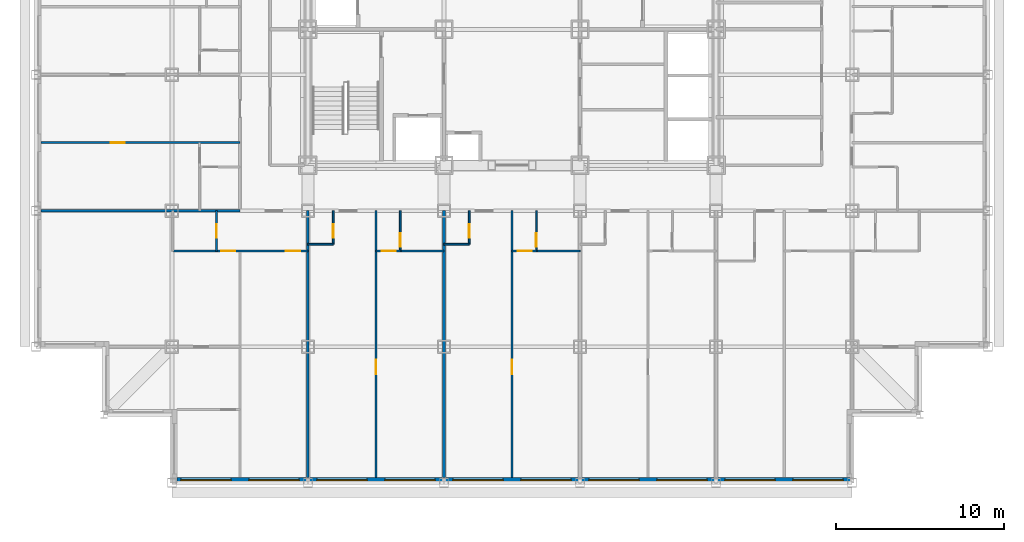
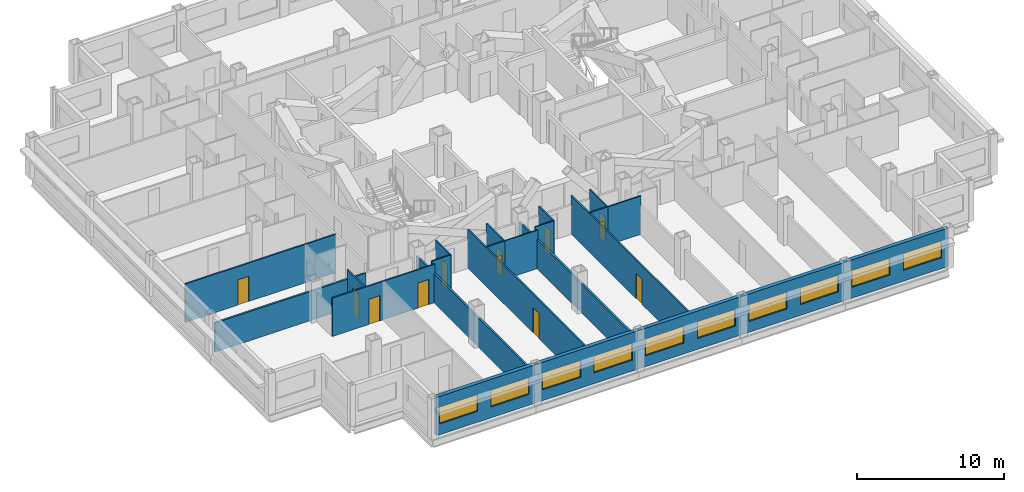
# One storey, part 4 of 12: 19 walls, 12 doors, 10 windows, 22 openings.
"""IFC4 building model written with IfcOpenShell, lengths in metres."""

from ifc_helpers import new_model, si_unit, direction, frame, frame_2d, origin, place, context, subcontext, project, spatial, rectangle, extrude, material, layer, layer_set, type_object, element, fill, save


model = new_model("IFC4")

# Units and contexts
model_context = context("Model", 3, precision=1e-05, world=origin(), true_north=direction((0.0, 1.0)))
body_context = subcontext(model_context, "Body", "Model", "MODEL_VIEW")
ifc_project = project(units=[si_unit("LENGTHUNIT", "METRE"), si_unit("AREAUNIT", "SQUARE_METRE"), si_unit("VOLUMEUNIT", "CUBIC_METRE"), si_unit("PLANEANGLEUNIT", "RADIAN"), si_unit("MASSUNIT", "GRAM", prefix="KILO")], contexts=[model_context])

# Site, building, storey
site_placement = place(None, origin())
site = spatial("IfcSite", under=ifc_project, at=site_placement, CompositionType="ELEMENT")
building_placement = place(site_placement, origin())
building = spatial("IfcBuilding", under=site, at=building_placement, Name="Kopane Lantern Tower", CompositionType="ELEMENT")
storey_placement = place(building_placement, frame((0.0, 0.0, 144.199951171875)))
storey = spatial("IfcBuildingStorey", under=building, at=storey_placement, Name="L37", CompositionType="ELEMENT", Elevation=144.199951171875)

# Wall, opening, door
ifc_material_1 = material(Name="Gypsum board on steel studs", Category="steel")
ifc_layer_1 = layer(ifc_material_1, 0.1201171875)
ifc_layer_set_1 = layer_set([ifc_layer_1], Name="APARTMENT INTERNAL WALL 120")
wall_type_1 = type_object("IfcWallType", Name="APARTMENT INTERNAL WALL 120", PredefinedType="PARTITIONING", material=ifc_layer_set_1)
wall_1_placement = place(storey_placement, frame((20.25, 21.60009765625, 0.0), z_axis=(0.0, 0.0, 1.0), x_axis=(0.0, -1.0, 0.0)))
wall_1 = element("IfcWall", 1, at=wall_1_placement, inside=storey, type_object=wall_type_1, Name="Apartment Internal Wall 120 L37", PredefinedType="PARTITIONING", context=body_context, shape_type="SweptSolid", body=[
    extrude(rectangle(XDim=15.900146484375, YDim=0.1201171875, at=frame_2d((7.9501953125, 0.0))), origin(), (0.0, 0.0, 1.0), 3.18994140625),
])
opening_1_placement = place(wall_1_placement, frame((8.875, 0.0, 0.0)))
opening_1 = element("IfcOpeningElement", 2, at=opening_1_placement, cuts=wall_1, Name="Opening L37-015", PredefinedType="OPENING", context=body_context, shape_type="SweptSolid", body=[
    extrude(rectangle(XDim=0.85009765625, YDim=2.10009765625, at=frame_2d((0.425048828125, 1.050048828125))), frame((0.0, 0.070068359375, 0.0), z_axis=(0.0, -1.0, 0.0), x_axis=(1.0, 0.0, 0.0)), (0.0, 0.0, 1.0), 0.14013671875),
])
ifc_material_2 = material(Name="Timber door set", Category="wood")
door_type_1 = type_object("IfcDoorType", Name="DOOR D4 850x2100", OperationType="SINGLE_SWING_LEFT", PredefinedType="DOOR", material=ifc_material_2)
door_1_placement = place(opening_1_placement, origin())
door_1 = element("IfcDoor", 3, at=door_1_placement, inside=storey, type_object=door_type_1, Name="Door L37-015", OperationType="SINGLE_SWING_LEFT", OverallHeight=2.10009765625, OverallWidth=0.85009765625, PredefinedType="DOOR", context=body_context, shape_type="SweptSolid", body=[
    extrude(rectangle(XDim=0.85009765625, YDim=2.10009765625, at=frame_2d((0.425048828125, 1.050048828125))), frame((0.0, 0.02490234375, 0.0), z_axis=(0.0, -1.0, 0.0), x_axis=(1.0, 0.0, 0.0)), (0.0, 0.0, 1.0), 0.050048828125),
])
fill(opening_1, door_1)

wall_2_placement = place(storey_placement, frame((28.35009765625, 21.60009765625, 0.0), z_axis=(0.0, 0.0, 1.0), x_axis=(0.0, -1.0, 0.0)))
wall_2 = element("IfcWall", 4, at=wall_2_placement, inside=storey, type_object=wall_type_1, Name="Apartment Internal Wall 120 L37", PredefinedType="PARTITIONING", context=body_context, shape_type="SweptSolid", body=[
    extrude(rectangle(XDim=15.900146484375, YDim=0.1201171875, at=frame_2d((7.9501953125, 0.0))), origin(), (0.0, 0.0, 1.0), 3.18994140625),
])
opening_2_placement = place(wall_2_placement, frame((8.875, 0.0, 0.0)))
opening_2 = element("IfcOpeningElement", 5, at=opening_2_placement, cuts=wall_2, Name="Opening L37-019", PredefinedType="OPENING", context=body_context, shape_type="SweptSolid", body=[
    extrude(rectangle(XDim=0.85009765625, YDim=2.10009765625, at=frame_2d((0.425048828125, 1.050048828125))), frame((0.0, 0.070068359375, 0.0), z_axis=(0.0, -1.0, 0.0), x_axis=(1.0, 0.0, 0.0)), (0.0, 0.0, 1.0), 0.14013671875),
])
door_2_placement = place(opening_2_placement, origin())
door_2 = element("IfcDoor", 6, at=door_2_placement, inside=storey, type_object=door_type_1, Name="Door L37-019", OperationType="SINGLE_SWING_LEFT", OverallHeight=2.10009765625, OverallWidth=0.85009765625, PredefinedType="DOOR", context=body_context, shape_type="SweptSolid", body=[
    extrude(rectangle(XDim=0.85009765625, YDim=2.10009765625, at=frame_2d((0.425048828125, 1.050048828125))), frame((0.0, 0.02490234375, 0.0), z_axis=(0.0, -1.0, 0.0), x_axis=(1.0, 0.0, 0.0)), (0.0, 0.0, 1.0), 0.050048828125),
])
fill(opening_2, door_2)

wall_3_placement = place(storey_placement, frame((12.14990234375, 25.64990234375, 0.0), z_axis=(0.0, 0.0, 1.0), x_axis=(-1.0, 0.0, 0.0)))
wall_3 = element("IfcWall", 7, at=wall_3_placement, inside=storey, type_object=wall_type_1, Name="Apartment Internal Wall 120 L37", PredefinedType="PARTITIONING", context=body_context, shape_type="SweptSolid", body=[
    extrude(rectangle(XDim=11.849853515625, YDim=0.1201171875, at=frame_2d((5.9248046875, 0.0))), origin(), (0.0, 0.0, 1.0), 3.18994140625),
])
opening_3_placement = place(wall_3_placement, frame((6.85009765625, 0.0, 0.0)))
opening_3 = element("IfcOpeningElement", 8, at=opening_3_placement, cuts=wall_3, Name="Opening L37-036", PredefinedType="OPENING", context=body_context, shape_type="SweptSolid", body=[
    extrude(rectangle(XDim=0.85009765625, YDim=2.10009765625, at=frame_2d((0.425048828125, 1.050048828125))), frame((0.0, 0.070068359375, 0.0), z_axis=(0.0, -1.0, 0.0), x_axis=(1.0, 0.0, 0.0)), (0.0, 0.0, 1.0), 0.14013671875),
])
door_3_placement = place(opening_3_placement, origin())
door_3 = element("IfcDoor", 9, at=door_3_placement, inside=storey, type_object=door_type_1, Name="Door L37-036", OperationType="SINGLE_SWING_LEFT", OverallHeight=2.10009765625, OverallWidth=0.85009765625, PredefinedType="DOOR", context=body_context, shape_type="SweptSolid", body=[
    extrude(rectangle(XDim=0.85009765625, YDim=2.10009765625, at=frame_2d((0.425048828125, 1.050048828125))), frame((0.0, 0.02490234375, 0.0), z_axis=(0.0, -1.0, 0.0), x_axis=(1.0, 0.0, 0.0)), (0.0, 0.0, 1.0), 0.050048828125),
])
fill(opening_3, door_3)

# Wall, openings, doors
wall_4_placement = place(storey_placement, frame((8.14990234375, 19.199951171875, 0.0), z_axis=(0.0, 0.0, 1.0), x_axis=(1.0, 0.0, 0.0)))
wall_4 = element("IfcWall", 10, at=wall_4_placement, inside=storey, type_object=wall_type_1, Name="Apartment Internal Wall 120 L37", PredefinedType="PARTITIONING", context=body_context, shape_type="SweptSolid", body=[
    extrude(rectangle(XDim=8.050048828125, YDim=0.1201171875, at=frame_2d((4.02490234375, 0.0))), origin(), (0.0, 0.0, 1.0), 3.18994140625),
])
opening_4_placement = place(wall_4_placement, frame((6.72509765625, 0.0, 0.0)))
opening_4 = element("IfcOpeningElement", 11, at=opening_4_placement, cuts=wall_4, Name="Opening L37-057", PredefinedType="OPENING", context=body_context, shape_type="SweptSolid", body=[
    extrude(rectangle(XDim=0.85009765625, YDim=2.10009765625, at=frame_2d((0.425048828125, 1.050048828125))), frame((0.0, 0.070068359375, 0.0), z_axis=(0.0, -1.0, 0.0), x_axis=(1.0, 0.0, 0.0)), (0.0, 0.0, 1.0), 0.14013671875),
])
opening_5_placement = place(wall_4_placement, frame((2.875, 0.0, 0.0)))
opening_5 = element("IfcOpeningElement", 12, at=opening_5_placement, cuts=wall_4, Name="Opening L37-059", PredefinedType="OPENING", context=body_context, shape_type="SweptSolid", body=[
    extrude(rectangle(XDim=0.85009765625, YDim=2.10009765625, at=frame_2d((0.425048828125, 1.050048828125))), frame((0.0, 0.070068359375, 0.0), z_axis=(0.0, -1.0, 0.0), x_axis=(1.0, 0.0, 0.0)), (0.0, 0.0, 1.0), 0.14013671875),
])
door_4_placement = place(opening_4_placement, origin())
door_4 = element("IfcDoor", 13, at=door_4_placement, inside=storey, type_object=door_type_1, Name="Door L37-057", OperationType="SINGLE_SWING_RIGHT", OverallHeight=2.10009765625, OverallWidth=0.85009765625, PredefinedType="DOOR", context=body_context, shape_type="SweptSolid", body=[
    extrude(rectangle(XDim=0.85009765625, YDim=2.10009765625, at=frame_2d((0.425048828125, 1.050048828125))), frame((0.0, 0.02490234375, 0.0), z_axis=(0.0, -1.0, 0.0), x_axis=(1.0, 0.0, 0.0)), (0.0, 0.0, 1.0), 0.050048828125),
])
fill(opening_4, door_4)
door_5_placement = place(opening_5_placement, origin())
door_5 = element("IfcDoor", 14, at=door_5_placement, inside=storey, type_object=door_type_1, Name="Door L37-059", OperationType="SINGLE_SWING_LEFT", OverallHeight=2.10009765625, OverallWidth=0.85009765625, PredefinedType="DOOR", context=body_context, shape_type="SweptSolid", body=[
    extrude(rectangle(XDim=0.85009765625, YDim=2.10009765625, at=frame_2d((0.425048828125, 1.050048828125))), frame((0.0, 0.02490234375, 0.0), z_axis=(0.0, -1.0, 0.0), x_axis=(1.0, 0.0, 0.0)), (0.0, 0.0, 1.0), 0.050048828125),
])
fill(opening_5, door_5)

# Wall, opening, door
wall_5_placement = place(storey_placement, frame((21.7099609375, 19.199951171875, 0.0), z_axis=(0.0, 0.0, 1.0), x_axis=(-1.0, 0.0, 0.0)))
wall_5 = element("IfcWall", 15, at=wall_5_placement, inside=storey, type_object=wall_type_1, Name="Apartment Internal Wall 120 L37", PredefinedType="PARTITIONING", context=body_context, shape_type="SweptSolid", body=[
    extrude(rectangle(XDim=1.4599609375, YDim=0.1201171875, at=frame_2d((0.72998046875, 0.0))), origin(), (0.0, 0.0, 1.0), 3.18994140625),
])
opening_6_placement = place(wall_5_placement, frame((0.27490234375, 0.0, 0.0)))
opening_6 = element("IfcOpeningElement", 16, at=opening_6_placement, cuts=wall_5, Name="Opening L37-073", PredefinedType="OPENING", context=body_context, shape_type="SweptSolid", body=[
    extrude(rectangle(XDim=0.85009765625, YDim=2.10009765625, at=frame_2d((0.425048828125, 1.050048828125))), frame((0.0, 0.070068359375, 0.0), z_axis=(0.0, -1.0, 0.0), x_axis=(1.0, 0.0, 0.0)), (0.0, 0.0, 1.0), 0.14013671875),
])
door_6_placement = place(opening_6_placement, origin())
door_6 = element("IfcDoor", 17, at=door_6_placement, inside=storey, type_object=door_type_1, Name="Door L37-073", OperationType="SINGLE_SWING_RIGHT", OverallHeight=2.10009765625, OverallWidth=0.85009765625, PredefinedType="DOOR", context=body_context, shape_type="SweptSolid", body=[
    extrude(rectangle(XDim=0.85009765625, YDim=2.10009765625, at=frame_2d((0.425048828125, 1.050048828125))), frame((0.0, 0.02490234375, 0.0), z_axis=(0.0, -1.0, 0.0), x_axis=(1.0, 0.0, 0.0)), (0.0, 0.0, 1.0), 0.050048828125),
])
fill(opening_6, door_6)

wall_6_placement = place(storey_placement, frame((29.81005859375, 19.199951171875, 0.0), z_axis=(0.0, 0.0, 1.0), x_axis=(-1.0, 0.0, 0.0)))
wall_6 = element("IfcWall", 18, at=wall_6_placement, inside=storey, type_object=wall_type_1, Name="Apartment Internal Wall 120 L37", PredefinedType="PARTITIONING", context=body_context, shape_type="SweptSolid", body=[
    extrude(rectangle(XDim=1.4599609375, YDim=0.1201171875, at=frame_2d((0.72998046875, 0.0))), origin(), (0.0, 0.0, 1.0), 3.18994140625),
])
opening_7_placement = place(wall_6_placement, frame((0.27490234375, 0.0, 0.0)))
opening_7 = element("IfcOpeningElement", 19, at=opening_7_placement, cuts=wall_6, Name="Opening L37-074", PredefinedType="OPENING", context=body_context, shape_type="SweptSolid", body=[
    extrude(rectangle(XDim=0.85009765625, YDim=2.10009765625, at=frame_2d((0.425048828125, 1.050048828125))), frame((0.0, 0.070068359375, 0.0), z_axis=(0.0, -1.0, 0.0), x_axis=(1.0, 0.0, 0.0)), (0.0, 0.0, 1.0), 0.14013671875),
])
door_7_placement = place(opening_7_placement, origin())
door_7 = element("IfcDoor", 20, at=door_7_placement, inside=storey, type_object=door_type_1, Name="Door L37-074", OperationType="SINGLE_SWING_RIGHT", OverallHeight=2.10009765625, OverallWidth=0.85009765625, PredefinedType="DOOR", context=body_context, shape_type="SweptSolid", body=[
    extrude(rectangle(XDim=0.85009765625, YDim=2.10009765625, at=frame_2d((0.425048828125, 1.050048828125))), frame((0.0, 0.02490234375, 0.0), z_axis=(0.0, -1.0, 0.0), x_axis=(1.0, 0.0, 0.0)), (0.0, 0.0, 1.0), 0.050048828125),
])
fill(opening_7, door_7)

# Wall
ifc_material_3 = material(Name="Moisture-resistant board on steel studs", Category="steel")
ifc_layer_2 = layer(ifc_material_3, 0.10009765625)
ifc_layer_set_2 = layer_set([ifc_layer_2], Name="BATHROOM WALL 100")
wall_type_2 = type_object("IfcWallType", Name="BATHROOM WALL 100", PredefinedType="PARTITIONING", material=ifc_layer_set_2)
wall_7_placement = place(storey_placement, frame((16.199951171875, 19.60009765625, 0.0), z_axis=(0.0, 0.0, 1.0), x_axis=(1.0, 0.0, 0.0)))
element("IfcWall", 21, at=wall_7_placement, inside=storey, type_object=wall_type_2, Name="Bathroom Wall 100 L37", PredefinedType="PARTITIONING", context=body_context, shape_type="SweptSolid", body=[
    extrude(rectangle(XDim=1.5, YDim=0.10009765625, at=frame_2d((0.75, 0.0))), origin(), (0.0, 0.0, 1.0), 3.18994140625),
])

# Wall, opening, door
wall_8_placement = place(storey_placement, frame((17.699951171875, 21.60009765625, 0.0), z_axis=(0.0, 0.0, 1.0), x_axis=(0.0, -1.0, 0.0)))
wall_8 = element("IfcWall", 22, at=wall_8_placement, inside=storey, type_object=wall_type_2, Name="Bathroom Wall 100 L37", PredefinedType="PARTITIONING", context=body_context, shape_type="SweptSolid", body=[
    extrude(rectangle(XDim=2.0, YDim=0.10009765625, at=frame_2d((1.0, 0.0))), origin(), (0.0, 0.0, 1.0), 3.18994140625),
])
opening_8_placement = place(wall_8_placement, frame((0.800048828125, 0.0, 0.0)))
opening_8 = element("IfcOpeningElement", 23, at=opening_8_placement, cuts=wall_8, Name="Opening L37-012", PredefinedType="OPENING", context=body_context, shape_type="SweptSolid", body=[
    extrude(rectangle(XDim=0.800048828125, YDim=2.10009765625, at=frame_2d((0.39990234375, 1.050048828125))), frame((0.0, 0.06005859375, 0.0), z_axis=(0.0, -1.0, 0.0), x_axis=(1.0, 0.0, 0.0)), (0.0, 0.0, 1.0), 0.1201171875),
])
ifc_material_4 = material(Name="Timber door set", Category="wood")
door_type_2 = type_object("IfcDoorType", Name="DOOR D2 800x2100", OperationType="SINGLE_SWING_LEFT", PredefinedType="DOOR", material=ifc_material_4)
door_8_placement = place(opening_8_placement, origin())
door_8 = element("IfcDoor", 24, at=door_8_placement, inside=storey, type_object=door_type_2, Name="Door L37-012", OperationType="SINGLE_SWING_LEFT", OverallHeight=2.10009765625, OverallWidth=0.800048828125, PredefinedType="DOOR", context=body_context, shape_type="SweptSolid", body=[
    extrude(rectangle(XDim=0.800048828125, YDim=2.10009765625, at=frame_2d((0.39990234375, 1.050048828125))), frame((0.0, 0.02490234375, 0.0), z_axis=(0.0, -1.0, 0.0), x_axis=(1.0, 0.0, 0.0)), (0.0, 0.0, 1.0), 0.050048828125),
])
fill(opening_8, door_8)

# Wall
wall_9_placement = place(storey_placement, frame((21.699951171875, 19.199951171875, 0.0), z_axis=(0.0, 0.0, 1.0), x_axis=(1.0, 0.0, 0.0)))
element("IfcWall", 25, at=wall_9_placement, inside=storey, type_object=wall_type_2, Name="Bathroom Wall 100 L37", PredefinedType="PARTITIONING", context=body_context, shape_type="SweptSolid", body=[
    extrude(rectangle(XDim=2.60009765625, YDim=0.10009765625, at=frame_2d((1.300048828125, 0.0))), origin(), (0.0, 0.0, 1.0), 3.18994140625),
])

# Wall, opening, door
wall_10_placement = place(storey_placement, frame((21.699951171875, 21.60009765625, 0.0), z_axis=(0.0, 0.0, 1.0), x_axis=(0.0, -1.0, 0.0)))
wall_10 = element("IfcWall", 26, at=wall_10_placement, inside=storey, type_object=wall_type_2, Name="Bathroom Wall 100 L37", PredefinedType="PARTITIONING", context=body_context, shape_type="SweptSolid", body=[
    extrude(rectangle(XDim=2.400146484375, YDim=0.10009765625, at=frame_2d((1.2001953125, 0.0))), origin(), (0.0, 0.0, 1.0), 3.18994140625),
])
opening_9_placement = place(wall_10_placement, frame((1.35009765625, 0.0, 0.0)))
opening_9 = element("IfcOpeningElement", 27, at=opening_9_placement, cuts=wall_10, Name="Opening L37-014", PredefinedType="OPENING", context=body_context, shape_type="SweptSolid", body=[
    extrude(rectangle(XDim=0.800048828125, YDim=2.10009765625, at=frame_2d((0.39990234375, 1.050048828125))), frame((0.0, 0.06005859375, 0.0), z_axis=(0.0, -1.0, 0.0), x_axis=(1.0, 0.0, 0.0)), (0.0, 0.0, 1.0), 0.1201171875),
])
door_9_placement = place(opening_9_placement, origin())
door_9 = element("IfcDoor", 28, at=door_9_placement, inside=storey, type_object=door_type_2, Name="Door L37-014", OperationType="SINGLE_SWING_LEFT", OverallHeight=2.10009765625, OverallWidth=0.800048828125, PredefinedType="DOOR", context=body_context, shape_type="SweptSolid", body=[
    extrude(rectangle(XDim=0.800048828125, YDim=2.10009765625, at=frame_2d((0.39990234375, 1.050048828125))), frame((0.0, 0.02490234375, 0.0), z_axis=(0.0, -1.0, 0.0), x_axis=(1.0, 0.0, 0.0)), (0.0, 0.0, 1.0), 0.050048828125),
])
fill(opening_9, door_9)

# Wall
wall_11_placement = place(storey_placement, frame((24.300048828125, 19.60009765625, 0.0), z_axis=(0.0, 0.0, 1.0), x_axis=(1.0, 0.0, 0.0)))
element("IfcWall", 29, at=wall_11_placement, inside=storey, type_object=wall_type_2, Name="Bathroom Wall 100 L37", PredefinedType="PARTITIONING", context=body_context, shape_type="SweptSolid", body=[
    extrude(rectangle(XDim=1.5, YDim=0.10009765625, at=frame_2d((0.75, 0.0))), origin(), (0.0, 0.0, 1.0), 3.18994140625),
])

# Wall, opening, door
wall_12_placement = place(storey_placement, frame((25.800048828125, 21.60009765625, 0.0), z_axis=(0.0, 0.0, 1.0), x_axis=(0.0, -1.0, 0.0)))
wall_12 = element("IfcWall", 30, at=wall_12_placement, inside=storey, type_object=wall_type_2, Name="Bathroom Wall 100 L37", PredefinedType="PARTITIONING", context=body_context, shape_type="SweptSolid", body=[
    extrude(rectangle(XDim=2.0, YDim=0.10009765625, at=frame_2d((1.0, 0.0))), origin(), (0.0, 0.0, 1.0), 3.18994140625),
])
opening_10_placement = place(wall_12_placement, frame((0.800048828125, 0.0, 0.0)))
opening_10 = element("IfcOpeningElement", 31, at=opening_10_placement, cuts=wall_12, Name="Opening L37-016", PredefinedType="OPENING", context=body_context, shape_type="SweptSolid", body=[
    extrude(rectangle(XDim=0.800048828125, YDim=2.10009765625, at=frame_2d((0.39990234375, 1.050048828125))), frame((0.0, 0.06005859375, 0.0), z_axis=(0.0, -1.0, 0.0), x_axis=(1.0, 0.0, 0.0)), (0.0, 0.0, 1.0), 0.1201171875),
])
door_10_placement = place(opening_10_placement, origin())
door_10 = element("IfcDoor", 32, at=door_10_placement, inside=storey, type_object=door_type_2, Name="Door L37-016", OperationType="SINGLE_SWING_LEFT", OverallHeight=2.10009765625, OverallWidth=0.800048828125, PredefinedType="DOOR", context=body_context, shape_type="SweptSolid", body=[
    extrude(rectangle(XDim=0.800048828125, YDim=2.10009765625, at=frame_2d((0.39990234375, 1.050048828125))), frame((0.0, 0.02490234375, 0.0), z_axis=(0.0, -1.0, 0.0), x_axis=(1.0, 0.0, 0.0)), (0.0, 0.0, 1.0), 0.050048828125),
])
fill(opening_10, door_10)

# Wall
wall_13_placement = place(storey_placement, frame((29.800048828125, 19.199951171875, 0.0), z_axis=(0.0, 0.0, 1.0), x_axis=(1.0, 0.0, 0.0)))
element("IfcWall", 33, at=wall_13_placement, inside=storey, type_object=wall_type_2, Name="Bathroom Wall 100 L37", PredefinedType="PARTITIONING", context=body_context, shape_type="SweptSolid", body=[
    extrude(rectangle(XDim=2.599853515625, YDim=0.10009765625, at=frame_2d((1.2998046875, 0.0))), origin(), (0.0, 0.0, 1.0), 3.18994140625),
])

# Wall, opening, door
wall_14_placement = place(storey_placement, frame((29.800048828125, 21.60009765625, 0.0), z_axis=(0.0, 0.0, 1.0), x_axis=(0.0, -1.0, 0.0)))
wall_14 = element("IfcWall", 34, at=wall_14_placement, inside=storey, type_object=wall_type_2, Name="Bathroom Wall 100 L37", PredefinedType="PARTITIONING", context=body_context, shape_type="SweptSolid", body=[
    extrude(rectangle(XDim=2.400146484375, YDim=0.10009765625, at=frame_2d((1.2001953125, 0.0))), origin(), (0.0, 0.0, 1.0), 3.18994140625),
])
opening_11_placement = place(wall_14_placement, frame((1.35009765625, 0.0, 0.0)))
opening_11 = element("IfcOpeningElement", 35, at=opening_11_placement, cuts=wall_14, Name="Opening L37-018", PredefinedType="OPENING", context=body_context, shape_type="SweptSolid", body=[
    extrude(rectangle(XDim=0.800048828125, YDim=2.10009765625, at=frame_2d((0.39990234375, 1.050048828125))), frame((0.0, 0.06005859375, 0.0), z_axis=(0.0, -1.0, 0.0), x_axis=(1.0, 0.0, 0.0)), (0.0, 0.0, 1.0), 0.1201171875),
])
door_11_placement = place(opening_11_placement, origin())
door_11 = element("IfcDoor", 36, at=door_11_placement, inside=storey, type_object=door_type_2, Name="Door L37-018", OperationType="SINGLE_SWING_LEFT", OverallHeight=2.10009765625, OverallWidth=0.800048828125, PredefinedType="DOOR", context=body_context, shape_type="SweptSolid", body=[
    extrude(rectangle(XDim=0.800048828125, YDim=2.10009765625, at=frame_2d((0.39990234375, 1.050048828125))), frame((0.0, 0.02490234375, 0.0), z_axis=(0.0, -1.0, 0.0), x_axis=(1.0, 0.0, 0.0)), (0.0, 0.0, 1.0), 0.050048828125),
])
fill(opening_11, door_11)

wall_15_placement = place(storey_placement, frame((10.75, 21.60009765625, 0.0), z_axis=(0.0, 0.0, 1.0), x_axis=(0.0, -1.0, 0.0)))
wall_15 = element("IfcWall", 37, at=wall_15_placement, inside=storey, type_object=wall_type_2, Name="Bathroom Wall 100 L37", PredefinedType="PARTITIONING", context=body_context, shape_type="SweptSolid", body=[
    extrude(rectangle(XDim=2.400146484375, YDim=0.10009765625, at=frame_2d((1.2001953125, 0.0))), origin(), (0.0, 0.0, 1.0), 3.18994140625),
])
opening_12_placement = place(wall_15_placement, frame((0.800048828125, 0.0, 0.0)))
opening_12 = element("IfcOpeningElement", 38, at=opening_12_placement, cuts=wall_15, Name="Opening L37-058", PredefinedType="OPENING", context=body_context, shape_type="SweptSolid", body=[
    extrude(rectangle(XDim=0.800048828125, YDim=2.10009765625, at=frame_2d((0.39990234375, 1.050048828125))), frame((0.0, 0.06005859375, 0.0), z_axis=(0.0, -1.0, 0.0), x_axis=(1.0, 0.0, 0.0)), (0.0, 0.0, 1.0), 0.1201171875),
])
door_12_placement = place(opening_12_placement, origin())
door_12 = element("IfcDoor", 39, at=door_12_placement, inside=storey, type_object=door_type_2, Name="Door L37-058", OperationType="SINGLE_SWING_RIGHT", OverallHeight=2.10009765625, OverallWidth=0.800048828125, PredefinedType="DOOR", context=body_context, shape_type="SweptSolid", body=[
    extrude(rectangle(XDim=0.800048828125, YDim=2.10009765625, at=frame_2d((0.39990234375, 1.050048828125))), frame((0.0, 0.02490234375, 0.0), z_axis=(0.0, -1.0, 0.0), x_axis=(1.0, 0.0, 0.0)), (0.0, 0.0, 1.0), 0.050048828125),
])
fill(opening_12, door_12)

# Walls
ifc_material_5 = material(Name="Gypsum board on steel studs", Category="steel")
ifc_layer_3 = layer(ifc_material_5, 0.14990234375)
ifc_layer_set_3 = layer_set([ifc_layer_3], Name="DEMISING WALL 150 EI 60")
wall_type_3 = type_object("IfcWallType", Name="DEMISING WALL 150 EI 60", PredefinedType="PARTITIONING", material=ifc_layer_set_3)
wall_16_placement = place(storey_placement, frame((24.300048828125, 21.60009765625, 0.0), z_axis=(0.0, 0.0, 1.0), x_axis=(0.0, -1.0, 0.0)))
element("IfcWall", 40, at=wall_16_placement, inside=storey, type_object=wall_type_3, Name="Demising Wall 150 Ei 60 L37", PredefinedType="PARTITIONING", context=body_context, shape_type="SweptSolid", body=[
    extrude(rectangle(XDim=15.900146484375, YDim=0.14990234375, at=frame_2d((7.9501953125, 0.0))), origin(), (0.0, 0.0, 1.0), 2.420166015625),
])
wall_17_placement = place(storey_placement, frame((0.300048828125, 21.60009765625, 0.0), z_axis=(0.0, 0.0, 1.0), x_axis=(1.0, 0.0, 0.0)))
element("IfcWall", 41, at=wall_17_placement, inside=storey, type_object=wall_type_3, Name="Demising Wall 150 Ei 60 L37", PredefinedType="PARTITIONING", context=body_context, shape_type="SweptSolid", body=[
    extrude(rectangle(XDim=11.849853515625, YDim=0.14990234375, at=frame_2d((5.9248046875, 0.0))), origin(), (0.0, 0.0, 1.0), 2.420166015625),
])
wall_18_placement = place(storey_placement, frame((16.199951171875, 21.60009765625, 0.0), z_axis=(0.0, 0.0, 1.0), x_axis=(0.0, -1.0, 0.0)))
element("IfcWall", 42, at=wall_18_placement, inside=storey, type_object=wall_type_3, Name="Demising Wall 150 Ei 60 L37", PredefinedType="PARTITIONING", context=body_context, shape_type="SweptSolid", body=[
    extrude(rectangle(XDim=15.900146484375, YDim=0.14990234375, at=frame_2d((7.9501953125, 0.0))), origin(), (0.0, 0.0, 1.0), 2.420166015625),
])

# Wall, openings, windows
ifc_material_6 = material(Name="Terracotta rainscreen on light steel framing", Category="masonry")
ifc_layer_4 = layer(ifc_material_6, 0.300048828125)
ifc_layer_set_4 = layer_set([ifc_layer_4], Name="EXTERNAL WALL EW1 300 TERRACOTTA")
wall_type_4 = type_object("IfcWallType", Name="EXTERNAL WALL EW1 300 TERRACOTTA", PredefinedType="SOLIDWALL", material=ifc_layer_set_4)
wall_19_placement = place(storey_placement, frame((8.39990234375, 5.550048828125, 0.0), z_axis=(0.0, 0.0, 1.0), x_axis=(1.0, 0.0, 0.0)))
wall_19 = element("IfcWall", 43, at=wall_19_placement, inside=storey, type_object=wall_type_4, Name="External wall S L37", PredefinedType="SOLIDWALL", context=body_context, shape_type="SweptSolid", body=[
    extrude(rectangle(XDim=40.2001953125, YDim=0.300048828125, at=frame_2d((20.10009765625, 0.0))), origin(), (0.0, 0.0, 1.0), 3.18994140625),
])
opening_13_placement = place(wall_19_placement, frame((0.22509765625, 0.0, 0.89990234375)))
opening_13 = element("IfcOpeningElement", 44, at=opening_13_placement, cuts=wall_19, Name="Opening WR300140", PredefinedType="OPENING", context=body_context, shape_type="SweptSolid", body=[
    extrude(rectangle(XDim=3.0, YDim=1.39990234375, at=frame_2d((1.5, 0.699951171875))), frame((0.0, 0.159912109375, 0.0), z_axis=(0.0, -1.0, 0.0), x_axis=(1.0, 0.0, 0.0)), (0.0, 0.0, 1.0), 0.320068359375),
])
opening_14_placement = place(wall_19_placement, frame((4.27490234375, 0.0, 0.89990234375)))
opening_14 = element("IfcOpeningElement", 45, at=opening_14_placement, cuts=wall_19, Name="Opening WR300140", PredefinedType="OPENING", context=body_context, shape_type="SweptSolid", body=[
    extrude(rectangle(XDim=3.0, YDim=1.39990234375, at=frame_2d((1.5, 0.699951171875))), frame((0.0, 0.159912109375, 0.0), z_axis=(0.0, -1.0, 0.0), x_axis=(1.0, 0.0, 0.0)), (0.0, 0.0, 1.0), 0.320068359375),
])
opening_15_placement = place(wall_19_placement, frame((8.324951171875, 0.0, 0.89990234375)))
opening_15 = element("IfcOpeningElement", 46, at=opening_15_placement, cuts=wall_19, Name="Opening WR300140", PredefinedType="OPENING", context=body_context, shape_type="SweptSolid", body=[
    extrude(rectangle(XDim=3.0, YDim=1.39990234375, at=frame_2d((1.5, 0.699951171875))), frame((0.0, 0.159912109375, 0.0), z_axis=(0.0, -1.0, 0.0), x_axis=(1.0, 0.0, 0.0)), (0.0, 0.0, 1.0), 0.320068359375),
])
opening_16_placement = place(wall_19_placement, frame((12.375, 0.0, 0.89990234375)))
opening_16 = element("IfcOpeningElement", 47, at=opening_16_placement, cuts=wall_19, Name="Opening WR300140", PredefinedType="OPENING", context=body_context, shape_type="SweptSolid", body=[
    extrude(rectangle(XDim=3.0, YDim=1.39990234375, at=frame_2d((1.5, 0.699951171875))), frame((0.0, 0.159912109375, 0.0), z_axis=(0.0, -1.0, 0.0), x_axis=(1.0, 0.0, 0.0)), (0.0, 0.0, 1.0), 0.320068359375),
])
opening_17_placement = place(wall_19_placement, frame((16.425048828125, 0.0, 0.89990234375)))
opening_17 = element("IfcOpeningElement", 48, at=opening_17_placement, cuts=wall_19, Name="Opening WR300140", PredefinedType="OPENING", context=body_context, shape_type="SweptSolid", body=[
    extrude(rectangle(XDim=3.0, YDim=1.39990234375, at=frame_2d((1.5, 0.699951171875))), frame((0.0, 0.159912109375, 0.0), z_axis=(0.0, -1.0, 0.0), x_axis=(1.0, 0.0, 0.0)), (0.0, 0.0, 1.0), 0.320068359375),
])
opening_18_placement = place(wall_19_placement, frame((20.47509765625, 0.0, 0.89990234375)))
opening_18 = element("IfcOpeningElement", 49, at=opening_18_placement, cuts=wall_19, Name="Opening WR300140", PredefinedType="OPENING", context=body_context, shape_type="SweptSolid", body=[
    extrude(rectangle(XDim=3.0, YDim=1.39990234375, at=frame_2d((1.5, 0.699951171875))), frame((0.0, 0.159912109375, 0.0), z_axis=(0.0, -1.0, 0.0), x_axis=(1.0, 0.0, 0.0)), (0.0, 0.0, 1.0), 0.320068359375),
])
opening_19_placement = place(wall_19_placement, frame((24.52490234375, 0.0, 0.89990234375)))
opening_19 = element("IfcOpeningElement", 50, at=opening_19_placement, cuts=wall_19, Name="Opening WR300140", PredefinedType="OPENING", context=body_context, shape_type="SweptSolid", body=[
    extrude(rectangle(XDim=3.0, YDim=1.39990234375, at=frame_2d((1.5, 0.699951171875))), frame((0.0, 0.159912109375, 0.0), z_axis=(0.0, -1.0, 0.0), x_axis=(1.0, 0.0, 0.0)), (0.0, 0.0, 1.0), 0.320068359375),
])
opening_20_placement = place(wall_19_placement, frame((28.574951171875, 0.0, 0.89990234375)))
opening_20 = element("IfcOpeningElement", 51, at=opening_20_placement, cuts=wall_19, Name="Opening WR300140", PredefinedType="OPENING", context=body_context, shape_type="SweptSolid", body=[
    extrude(rectangle(XDim=3.0, YDim=1.39990234375, at=frame_2d((1.5, 0.699951171875))), frame((0.0, 0.159912109375, 0.0), z_axis=(0.0, -1.0, 0.0), x_axis=(1.0, 0.0, 0.0)), (0.0, 0.0, 1.0), 0.320068359375),
])
opening_21_placement = place(wall_19_placement, frame((32.625, 0.0, 0.89990234375)))
opening_21 = element("IfcOpeningElement", 52, at=opening_21_placement, cuts=wall_19, Name="Opening WR300140", PredefinedType="OPENING", context=body_context, shape_type="SweptSolid", body=[
    extrude(rectangle(XDim=3.0, YDim=1.39990234375, at=frame_2d((1.5, 0.699951171875))), frame((0.0, 0.159912109375, 0.0), z_axis=(0.0, -1.0, 0.0), x_axis=(1.0, 0.0, 0.0)), (0.0, 0.0, 1.0), 0.320068359375),
])
opening_22_placement = place(wall_19_placement, frame((36.675048828125, 0.0, 0.89990234375)))
opening_22 = element("IfcOpeningElement", 53, at=opening_22_placement, cuts=wall_19, Name="Opening WR300140", PredefinedType="OPENING", context=body_context, shape_type="SweptSolid", body=[
    extrude(rectangle(XDim=3.0, YDim=1.39990234375, at=frame_2d((1.5, 0.699951171875))), frame((0.0, 0.159912109375, 0.0), z_axis=(0.0, -1.0, 0.0), x_axis=(1.0, 0.0, 0.0)), (0.0, 0.0, 1.0), 0.320068359375),
])
ifc_material_7 = material(Name="Aluminium and clear glass", Category="aluminium")
window_type = type_object("IfcWindowType", Name="RIBBON WINDOW WR300140 3000x1400", PartitioningType="SINGLE_PANEL", PredefinedType="WINDOW", material=ifc_material_7)
window_1_placement = place(opening_13_placement, origin())
window_1 = element("IfcWindow", 54, at=window_1_placement, inside=storey, type_object=window_type, Name="Window S L37", OverallHeight=1.39990234375, OverallWidth=3.0, PartitioningType="SINGLE_PANEL", PredefinedType="WINDOW", context=body_context, shape_type="SweptSolid", body=[
    extrude(rectangle(XDim=3.0, YDim=1.39990234375, at=frame_2d((1.5, 0.699951171875))), frame((0.0, 0.030029296875, 0.0), z_axis=(0.0, -1.0, 0.0), x_axis=(1.0, 0.0, 0.0)), (0.0, 0.0, 1.0), 0.06005859375),
])
fill(opening_13, window_1)
window_2_placement = place(opening_14_placement, origin())
window_2 = element("IfcWindow", 55, at=window_2_placement, inside=storey, type_object=window_type, Name="Window S L37", OverallHeight=1.39990234375, OverallWidth=3.0, PartitioningType="SINGLE_PANEL", PredefinedType="WINDOW", context=body_context, shape_type="SweptSolid", body=[
    extrude(rectangle(XDim=3.0, YDim=1.39990234375, at=frame_2d((1.5, 0.699951171875))), frame((0.0, 0.030029296875, 0.0), z_axis=(0.0, -1.0, 0.0), x_axis=(1.0, 0.0, 0.0)), (0.0, 0.0, 1.0), 0.06005859375),
])
fill(opening_14, window_2)
window_3_placement = place(opening_15_placement, origin())
window_3 = element("IfcWindow", 56, at=window_3_placement, inside=storey, type_object=window_type, Name="Window S L37", OverallHeight=1.39990234375, OverallWidth=3.0, PartitioningType="SINGLE_PANEL", PredefinedType="WINDOW", context=body_context, shape_type="SweptSolid", body=[
    extrude(rectangle(XDim=3.0, YDim=1.39990234375, at=frame_2d((1.5, 0.699951171875))), frame((0.0, 0.030029296875, 0.0), z_axis=(0.0, -1.0, 0.0), x_axis=(1.0, 0.0, 0.0)), (0.0, 0.0, 1.0), 0.06005859375),
])
fill(opening_15, window_3)
window_4_placement = place(opening_16_placement, origin())
window_4 = element("IfcWindow", 57, at=window_4_placement, inside=storey, type_object=window_type, Name="Window S L37", OverallHeight=1.39990234375, OverallWidth=3.0, PartitioningType="SINGLE_PANEL", PredefinedType="WINDOW", context=body_context, shape_type="SweptSolid", body=[
    extrude(rectangle(XDim=3.0, YDim=1.39990234375, at=frame_2d((1.5, 0.699951171875))), frame((0.0, 0.030029296875, 0.0), z_axis=(0.0, -1.0, 0.0), x_axis=(1.0, 0.0, 0.0)), (0.0, 0.0, 1.0), 0.06005859375),
])
fill(opening_16, window_4)
window_5_placement = place(opening_17_placement, origin())
window_5 = element("IfcWindow", 58, at=window_5_placement, inside=storey, type_object=window_type, Name="Window S L37", OverallHeight=1.39990234375, OverallWidth=3.0, PartitioningType="SINGLE_PANEL", PredefinedType="WINDOW", context=body_context, shape_type="SweptSolid", body=[
    extrude(rectangle(XDim=3.0, YDim=1.39990234375, at=frame_2d((1.5, 0.699951171875))), frame((0.0, 0.030029296875, 0.0), z_axis=(0.0, -1.0, 0.0), x_axis=(1.0, 0.0, 0.0)), (0.0, 0.0, 1.0), 0.06005859375),
])
fill(opening_17, window_5)
window_6_placement = place(opening_18_placement, origin())
window_6 = element("IfcWindow", 59, at=window_6_placement, inside=storey, type_object=window_type, Name="Window S L37", OverallHeight=1.39990234375, OverallWidth=3.0, PartitioningType="SINGLE_PANEL", PredefinedType="WINDOW", context=body_context, shape_type="SweptSolid", body=[
    extrude(rectangle(XDim=3.0, YDim=1.39990234375, at=frame_2d((1.5, 0.699951171875))), frame((0.0, 0.030029296875, 0.0), z_axis=(0.0, -1.0, 0.0), x_axis=(1.0, 0.0, 0.0)), (0.0, 0.0, 1.0), 0.06005859375),
])
fill(opening_18, window_6)
window_7_placement = place(opening_19_placement, origin())
window_7 = element("IfcWindow", 60, at=window_7_placement, inside=storey, type_object=window_type, Name="Window S L37", OverallHeight=1.39990234375, OverallWidth=3.0, PartitioningType="SINGLE_PANEL", PredefinedType="WINDOW", context=body_context, shape_type="SweptSolid", body=[
    extrude(rectangle(XDim=3.0, YDim=1.39990234375, at=frame_2d((1.5, 0.699951171875))), frame((0.0, 0.030029296875, 0.0), z_axis=(0.0, -1.0, 0.0), x_axis=(1.0, 0.0, 0.0)), (0.0, 0.0, 1.0), 0.06005859375),
])
fill(opening_19, window_7)
window_8_placement = place(opening_20_placement, origin())
window_8 = element("IfcWindow", 61, at=window_8_placement, inside=storey, type_object=window_type, Name="Window S L37", OverallHeight=1.39990234375, OverallWidth=3.0, PartitioningType="SINGLE_PANEL", PredefinedType="WINDOW", context=body_context, shape_type="SweptSolid", body=[
    extrude(rectangle(XDim=3.0, YDim=1.39990234375, at=frame_2d((1.5, 0.699951171875))), frame((0.0, 0.030029296875, 0.0), z_axis=(0.0, -1.0, 0.0), x_axis=(1.0, 0.0, 0.0)), (0.0, 0.0, 1.0), 0.06005859375),
])
fill(opening_20, window_8)
window_9_placement = place(opening_21_placement, origin())
window_9 = element("IfcWindow", 62, at=window_9_placement, inside=storey, type_object=window_type, Name="Window S L37", OverallHeight=1.39990234375, OverallWidth=3.0, PartitioningType="SINGLE_PANEL", PredefinedType="WINDOW", context=body_context, shape_type="SweptSolid", body=[
    extrude(rectangle(XDim=3.0, YDim=1.39990234375, at=frame_2d((1.5, 0.699951171875))), frame((0.0, 0.030029296875, 0.0), z_axis=(0.0, -1.0, 0.0), x_axis=(1.0, 0.0, 0.0)), (0.0, 0.0, 1.0), 0.06005859375),
])
fill(opening_21, window_9)
window_10_placement = place(opening_22_placement, origin())
window_10 = element("IfcWindow", 63, at=window_10_placement, inside=storey, type_object=window_type, Name="Window S L37", OverallHeight=1.39990234375, OverallWidth=3.0, PartitioningType="SINGLE_PANEL", PredefinedType="WINDOW", context=body_context, shape_type="SweptSolid", body=[
    extrude(rectangle(XDim=3.0, YDim=1.39990234375, at=frame_2d((1.5, 0.699951171875))), frame((0.0, 0.030029296875, 0.0), z_axis=(0.0, -1.0, 0.0), x_axis=(1.0, 0.0, 0.0)), (0.0, 0.0, 1.0), 0.06005859375),
])
fill(opening_22, window_10)

save(model, "model.ifc")
